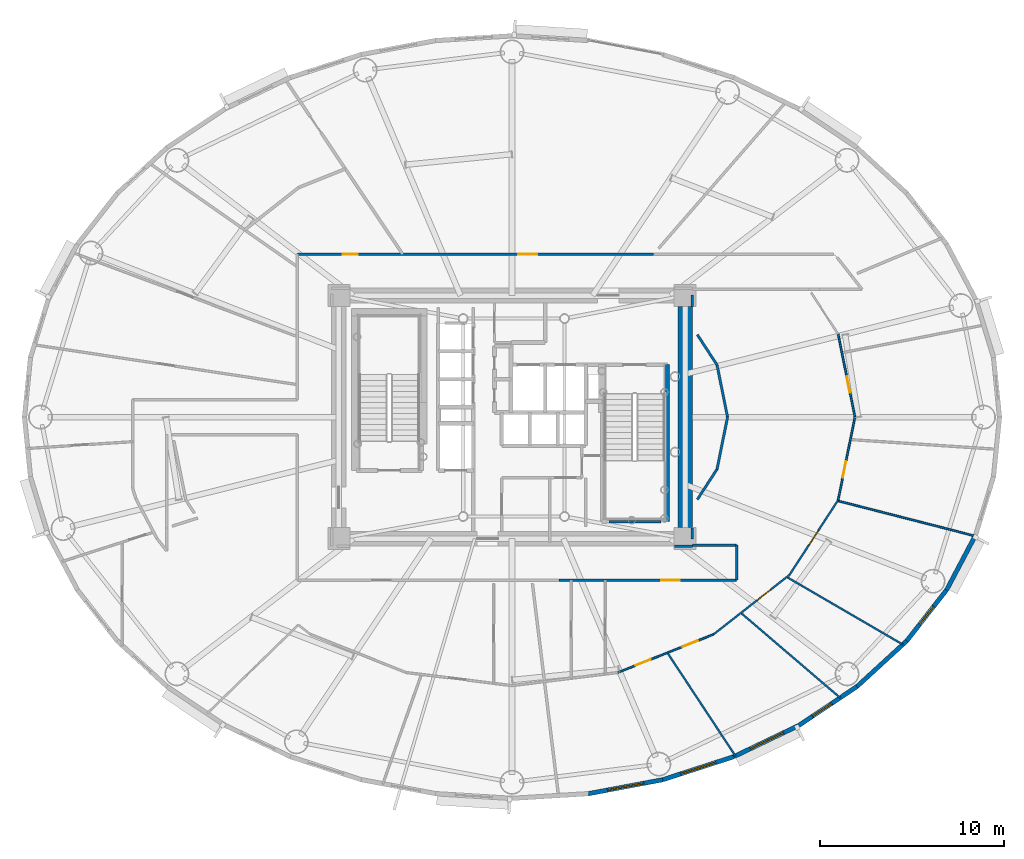
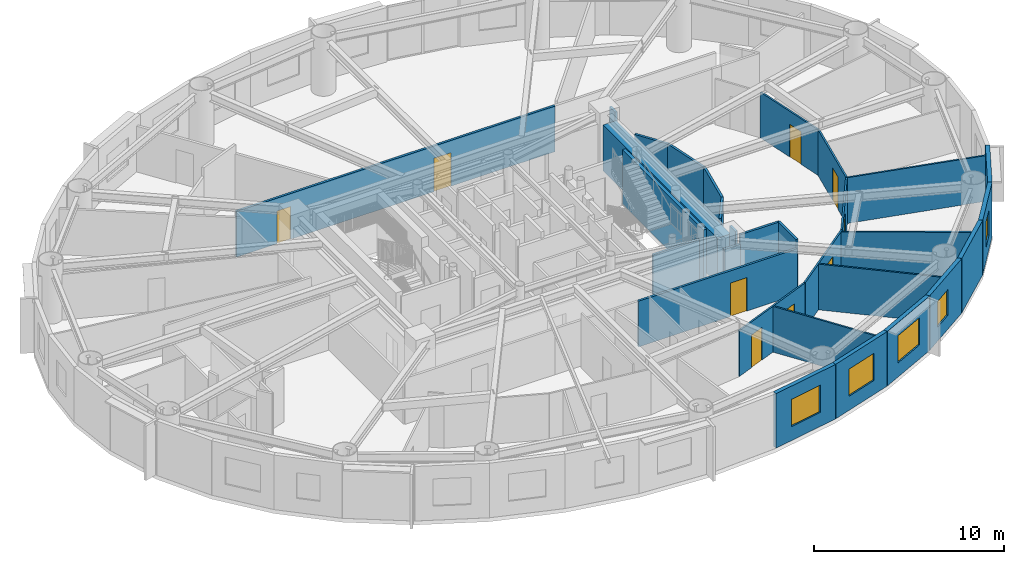
# One storey, part 13 of 21: 30 walls, 9 doors, 5 windows, 14 openings.
"""IFC4 building model written with IfcOpenShell, lengths in metres."""

from ifc_helpers import new_model, si_unit, direction, frame, frame_2d, origin, origin_2d, place, context, subcontext, project, spatial, rectangle, extrude, source, transform, mapped, material, layer, layer_set, type_object, element, fill, save


model = new_model("IFC4")

# Units and contexts
model_context = context("Model", 3, precision=1e-05, world=origin(), true_north=direction((0.0, 1.0)))
body_context = subcontext(model_context, "Body", "Model", "MODEL_VIEW")
ifc_project = project(units=[si_unit("LENGTHUNIT", "METRE"), si_unit("AREAUNIT", "SQUARE_METRE"), si_unit("VOLUMEUNIT", "CUBIC_METRE"), si_unit("PLANEANGLEUNIT", "RADIAN"), si_unit("MASSUNIT", "GRAM", prefix="KILO")], contexts=[model_context])

# Site, building, storey
site_placement = place(None, origin())
site = spatial("IfcSite", under=ifc_project, at=site_placement, CompositionType="ELEMENT")
building_placement = place(site_placement, origin())
building = spatial("IfcBuilding", under=site, at=building_placement, Name="Linh Dai School and Residence Tower", CompositionType="ELEMENT")
storey_placement = place(building_placement, frame((0.0, 0.0, 171.14990234375)))
storey = spatial("IfcBuildingStorey", under=building, at=storey_placement, Name="L41", CompositionType="ELEMENT", Elevation=171.14990234375)

# Wall, opening, window
ifc_material_1 = material(Name="Precast Concrete B45 (C35/45)", Category="concrete")
ifc_layer_1 = layer(ifc_material_1, 0.239990234375)
ifc_layer_set_1 = layer_set([ifc_layer_1], Name="Precast Concrete B45 (C35/45)")
wall_type_1 = type_object("IfcWallType", Name="EW-TC-240", PredefinedType="SOLIDWALL", material=ifc_layer_set_1)
wall_1_placement = place(storey_placement, frame((44.18896484375, 7.310546875, 0.0), z_axis=(0.0, 0.0, 1.0), x_axis=(-0.982788108205, -0.184736391573, 0.0)))
wall_1 = element("IfcWall", 1, at=wall_1_placement, inside=storey, type_object=wall_type_1, Name="L41 Terracotta Exterior Wall 32", PredefinedType="SOLIDWALL", context=body_context, shape_type="SweptSolid", body=[
    extrude(rectangle(XDim=4.114013671875, YDim=0.239990234375, at=frame_2d((2.05712890625, 0.0))), origin(), (0.0, 0.0, 1.0), 3.5),
])
opening_1_placement = place(wall_1_placement, frame((1.05712890625, 0.0, 0.89990234375)))
opening_1 = element("IfcOpeningElement", 2, at=opening_1_placement, cuts=wall_1, Name="Opening W1", PredefinedType="OPENING", context=body_context, shape_type="SweptSolid", body=[
    extrude(rectangle(XDim=2.0, YDim=1.75, at=origin_2d()), frame((1.0, 0.1298828125, 0.875), z_axis=(0.0, -1.0, 0.0), x_axis=(1.0, 0.0, 0.0)), (0.0, 0.0, 1.0), 0.260009765625),
])
ifc_material_2 = material(Name="Double Low-E Insulated Glazing", Category="glass")
window_type_1 = type_object("IfcWindowType", Name="WN-RES-2000x1750", PartitioningType="DOUBLE_PANEL_VERTICAL", PredefinedType="WINDOW", material=ifc_material_2)
shared_shape_1 = source(origin(), body_context, "Body", "SweptSolid", [
    extrude(rectangle(XDim=2.0, YDim=1.75, at=origin_2d()), frame((1.0, 0.030029296875, 0.875), z_axis=(0.0, -1.0, 0.0), x_axis=(1.0, 0.0, 0.0)), (0.0, 0.0, 1.0), 0.06005859375),
])
window_1_placement = place(opening_1_placement, origin())
window_1 = element("IfcWindow", 3, at=window_1_placement, inside=storey, type_object=window_type_1, Name="L41 Exterior Window 32.1", OverallHeight=1.75, OverallWidth=2.0, PartitioningType="DOUBLE_PANEL_VERTICAL", PredefinedType="WINDOW", context=body_context, shape_type="MappedRepresentation", body=[
    mapped(shared_shape_1, transform((0.0, 0.0, 0.0), x_axis=(1.0, 0.0, 0.0), y_axis=(0.0, 1.0, 0.0), z_axis=(0.0, 0.0, 1.0), scale=1.0)),
])
fill(opening_1, window_1)

wall_2_placement = place(storey_placement, frame((48.02978515625, 8.556396484375, 0.0), z_axis=(0.0, 0.0, 1.0), x_axis=(-0.951209870236, -0.30854462038, 0.0)))
wall_2 = element("IfcWall", 4, at=wall_2_placement, inside=storey, type_object=wall_type_1, Name="L41 Terracotta Exterior Wall 33", PredefinedType="SOLIDWALL", context=body_context, shape_type="SweptSolid", body=[
    extrude(rectangle(XDim=4.037841796875, YDim=0.239990234375, at=frame_2d((2.01904296875, 0.0))), origin(), (0.0, 0.0, 1.0), 3.5),
])
opening_2_placement = place(wall_2_placement, frame((1.01904296875, 0.0, 0.89990234375)))
opening_2 = element("IfcOpeningElement", 5, at=opening_2_placement, cuts=wall_2, Name="Opening W1", PredefinedType="OPENING", context=body_context, shape_type="SweptSolid", body=[
    extrude(rectangle(XDim=2.0, YDim=1.75, at=origin_2d()), frame((1.0, 0.1298828125, 0.875), z_axis=(0.0, -1.0, 0.0), x_axis=(1.0, 0.0, 0.0)), (0.0, 0.0, 1.0), 0.260009765625),
])
window_2_placement = place(opening_2_placement, origin())
window_2 = element("IfcWindow", 6, at=window_2_placement, inside=storey, type_object=window_type_1, Name="L41 Exterior Window 33.1", OverallHeight=1.75, OverallWidth=2.0, PartitioningType="DOUBLE_PANEL_VERTICAL", PredefinedType="WINDOW", context=body_context, shape_type="MappedRepresentation", body=[
    mapped(shared_shape_1, transform((0.0, 0.0, 0.0), x_axis=(1.0, 0.0, 0.0), y_axis=(0.0, 1.0, 0.0), z_axis=(0.0, 0.0, 1.0), scale=1.0)),
])
fill(opening_2, window_2)

wall_3_placement = place(storey_placement, frame((51.5732421875, 10.2568359375, 0.0), z_axis=(0.0, 0.0, 1.0), x_axis=(-0.901564733809, -0.432644231155, 0.0)))
wall_3 = element("IfcWall", 7, at=wall_3_placement, inside=storey, type_object=wall_type_1, Name="L41 Terracotta Exterior Wall 34", PredefinedType="SOLIDWALL", context=body_context, shape_type="SweptSolid", body=[
    extrude(rectangle(XDim=3.930419921875, YDim=0.239990234375, at=frame_2d((1.96533203125, 0.0))), origin(), (0.0, 0.0, 1.0), 3.5),
])
opening_3_placement = place(wall_3_placement, frame((0.922607421875, 0.0, 0.89990234375)))
opening_3 = element("IfcOpeningElement", 8, at=opening_3_placement, cuts=wall_3, Name="Opening W1", PredefinedType="OPENING", context=body_context, shape_type="SweptSolid", body=[
    extrude(rectangle(XDim=2.0, YDim=1.75, at=origin_2d()), frame((1.0, 0.1298828125, 0.875), z_axis=(0.0, -1.0, 0.0), x_axis=(1.0, 0.0, 0.0)), (0.0, 0.0, 1.0), 0.260009765625),
])
window_3_placement = place(opening_3_placement, origin())
window_3 = element("IfcWindow", 9, at=window_3_placement, inside=storey, type_object=window_type_1, Name="L41 Exterior Window 34.1", OverallHeight=1.75, OverallWidth=2.0, PartitioningType="DOUBLE_PANEL_VERTICAL", PredefinedType="WINDOW", context=body_context, shape_type="MappedRepresentation", body=[
    mapped(shared_shape_1, transform((0.0, 0.0, 0.0), x_axis=(1.0, 0.0, 0.0), y_axis=(0.0, 1.0, 0.0), z_axis=(0.0, 0.0, 1.0), scale=1.0)),
])
fill(opening_3, window_3)

wall_4_placement = place(storey_placement, frame((54.73193359375, 12.369384765625, 0.0), z_axis=(0.0, 0.0, 1.0), x_axis=(-0.831228998277, -0.555930168657, 0.0)))
wall_4 = element("IfcWall", 10, at=wall_4_placement, inside=storey, type_object=wall_type_1, Name="L41 Terracotta Exterior Wall 35", PredefinedType="SOLIDWALL", context=body_context, shape_type="SweptSolid", body=[
    extrude(rectangle(XDim=3.800048828125, YDim=0.239990234375, at=frame_2d((1.89990234375, 0.0))), origin(), (0.0, 0.0, 1.0), 3.5),
])
opening_4_placement = place(wall_4_placement, frame((1.647705078125, 0.0, 0.89990234375)))
opening_4 = element("IfcOpeningElement", 11, at=opening_4_placement, cuts=wall_4, Name="Opening W3", PredefinedType="OPENING", context=body_context, shape_type="SweptSolid", body=[
    extrude(rectangle(XDim=1.25, YDim=1.64990234375, at=origin_2d()), frame((0.625, 0.1298828125, 0.824951171875), z_axis=(0.0, -1.0, 0.0), x_axis=(1.0, 0.0, 0.0)), (0.0, 0.0, 1.0), 0.260009765625),
])
window_type_2 = type_object("IfcWindowType", Name="WN-RES-1250x1650", PartitioningType="SINGLE_PANEL", PredefinedType="WINDOW", material=ifc_material_2)
shared_shape_2 = source(origin(), body_context, "Body", "SweptSolid", [
    extrude(rectangle(XDim=1.25, YDim=1.64990234375, at=origin_2d()), frame((0.625, 0.030029296875, 0.824951171875), z_axis=(0.0, -1.0, 0.0), x_axis=(1.0, 0.0, 0.0)), (0.0, 0.0, 1.0), 0.06005859375),
])
window_4_placement = place(opening_4_placement, origin())
window_4 = element("IfcWindow", 12, at=window_4_placement, inside=storey, type_object=window_type_2, Name="L41 Exterior Window 35.1", OverallHeight=1.64990234375, OverallWidth=1.25, PartitioningType="SINGLE_PANEL", PredefinedType="WINDOW", context=body_context, shape_type="MappedRepresentation", body=[
    mapped(shared_shape_2, transform((0.0, 0.0, 0.0), x_axis=(1.0, 0.0, 0.0), y_axis=(0.0, 1.0, 0.0), z_axis=(0.0, 0.0, 1.0), scale=1.0)),
])
fill(opening_4, window_4)

# Wall
wall_5_placement = place(storey_placement, frame((57.42822265625, 14.841552734375, 0.0), z_axis=(0.0, 0.0, 1.0), x_axis=(-0.737076565834, -0.675809245349, 0.0)))
element("IfcWall", 13, at=wall_5_placement, inside=storey, type_object=wall_type_1, Name="L41 Terracotta Exterior Wall 36", PredefinedType="SOLIDWALL", context=body_context, shape_type="SweptSolid", body=[
    extrude(rectangle(XDim=3.658203125, YDim=0.239990234375, at=frame_2d((1.8291015625, 0.0))), origin(), (0.0, 0.0, 1.0), 3.5),
])

# Wall, opening, window
wall_6_placement = place(storey_placement, frame((59.595947265625, 17.611572265625, 0.0), z_axis=(0.0, 0.0, 1.0), x_axis=(-0.616287674549, -0.787521112224, 0.0)))
wall_6 = element("IfcWall", 14, at=wall_6_placement, inside=storey, type_object=wall_type_1, Name="L41 Terracotta Exterior Wall 37", PredefinedType="SOLIDWALL", context=body_context, shape_type="SweptSolid", body=[
    extrude(rectangle(XDim=3.517333984375, YDim=0.239990234375, at=frame_2d((1.7587890625, 0.0))), origin(), (0.0, 0.0, 1.0), 3.5),
])
opening_5_placement = place(wall_6_placement, frame((1.1337890625, 0.0, 0.89990234375)))
opening_5 = element("IfcOpeningElement", 15, at=opening_5_placement, cuts=wall_6, Name="Opening W3", PredefinedType="OPENING", context=body_context, shape_type="SweptSolid", body=[
    extrude(rectangle(XDim=1.25, YDim=1.64990234375, at=origin_2d()), frame((0.625, 0.1298828125, 0.824951171875), z_axis=(0.0, -1.0, 0.0), x_axis=(1.0, 0.0, 0.0)), (0.0, 0.0, 1.0), 0.260009765625),
])
window_5_placement = place(opening_5_placement, origin())
window_5 = element("IfcWindow", 16, at=window_5_placement, inside=storey, type_object=window_type_2, Name="L41 Dwelling Window U4102-BD3", OverallHeight=1.64990234375, OverallWidth=1.25, PartitioningType="SINGLE_PANEL", PredefinedType="WINDOW", context=body_context, shape_type="MappedRepresentation", body=[
    mapped(shared_shape_2, transform((0.0, 0.0, 0.0), x_axis=(1.0, 0.0, 0.0), y_axis=(0.0, 1.0, 0.0), z_axis=(0.0, 0.0, 1.0), scale=1.0)),
])
fill(opening_5, window_5)

# Wall
wall_7_placement = place(storey_placement, frame((61.1826171875, 20.611083984375, 0.0), z_axis=(0.0, 0.0, 1.0), x_axis=(-0.467586874938, -0.88394712194, 0.0)))
element("IfcWall", 17, at=wall_7_placement, inside=storey, type_object=wall_type_1, Name="L41 Terracotta Exterior Wall 38", PredefinedType="SOLIDWALL", context=body_context, shape_type="SweptSolid", body=[
    extrude(rectangle(XDim=3.393310546875, YDim=0.239990234375, at=frame_2d((1.69677734375, 0.0))), origin(), (0.0, 0.0, 1.0), 3.5),
])

# Wall, openings, doors
ifc_material_3 = material(Name="Autoclaved Aerated Concrete Blockwork", Category="masonry")
ifc_layer_2 = layer(ifc_material_3, 0.135009765625)
ifc_layer_set_2 = layer_set([ifc_layer_2], Name="Autoclaved Aerated Concrete Blockwork")
wall_type_2 = type_object("IfcWallType", Name="IW-CORR-135-EI90", PredefinedType="PARTITIONING", material=ifc_layer_set_2)
wall_8_placement = place(storey_placement, frame((24.35009765625, 35.85009765625, 0.0), z_axis=(0.0, 0.0, 1.0), x_axis=(1.0, 0.0, 0.0)))
wall_8 = element("IfcWall", 18, at=wall_8_placement, inside=storey, type_object=wall_type_2, Name="L41 Interior Partition Wall 020", PredefinedType="PARTITIONING", context=body_context, shape_type="SweptSolid", body=[
    extrude(rectangle(XDim=19.343017578125, YDim=0.135009765625, at=frame_2d((9.67138671875, 0.0))), origin(), (0.0, 0.0, 1.0), 2.93505859375),
])
opening_6_placement = place(wall_8_placement, frame((11.98046875, 0.0, 0.0)))
opening_6 = element("IfcOpeningElement", 19, at=opening_6_placement, cuts=wall_8, Name="Opening D04", PredefinedType="OPENING", context=body_context, shape_type="SweptSolid", body=[
    extrude(rectangle(XDim=1.050048828125, YDim=2.14990234375, at=origin_2d()), frame((0.52490234375, 0.07763671875, 1.074951171875), z_axis=(0.0, -1.0, 0.0), x_axis=(1.0, 0.0, 0.0)), (0.0, 0.0, 1.0), 0.155029296875),
])
opening_7_placement = place(wall_8_placement, frame((2.4638671875, 0.0, 0.0)))
opening_7 = element("IfcOpeningElement", 20, at=opening_7_placement, cuts=wall_8, Name="Opening D06", PredefinedType="OPENING", context=body_context, shape_type="SweptSolid", body=[
    extrude(rectangle(XDim=0.820068359375, YDim=2.10009765625, at=origin_2d()), frame((0.41015625, 0.07763671875, 1.050048828125), z_axis=(0.0, -1.0, 0.0), x_axis=(1.0, 0.0, 0.0)), (0.0, 0.0, 1.0), 0.155029296875),
])
ifc_material_4 = material(Name="Acoustic Vision-Panel Timber Classroom Door", Category="wood")
door_type_1 = type_object("IfcDoorType", Name="DR-SCH-1050x2150-FD60S", OperationType="NOTDEFINED", PredefinedType="DOOR", material=ifc_material_4)
shared_shape_3 = source(origin(), body_context, "Body", "SweptSolid", [
    extrude(rectangle(XDim=1.050048828125, YDim=2.14990234375, at=origin_2d()), frame((0.52490234375, 0.02490234375, 1.074951171875), z_axis=(0.0, -1.0, 0.0), x_axis=(1.0, 0.0, 0.0)), (0.0, 0.0, 1.0), 0.050048828125),
])
door_1_placement = place(opening_6_placement, origin())
door_1 = element("IfcDoor", 21, at=door_1_placement, inside=storey, type_object=door_type_1, Name="L41 Resident Music and Cinema Salon Door", OperationType="SINGLE_SWING_RIGHT", OverallHeight=2.14990234375, OverallWidth=1.050048828125, PredefinedType="DOOR", context=body_context, shape_type="MappedRepresentation", body=[
    mapped(shared_shape_3, transform((0.0, 0.0, 0.0), x_axis=(1.0, 0.0, 0.0), y_axis=(0.0, 1.0, 0.0), z_axis=(0.0, 0.0, 1.0), scale=1.0)),
])
fill(opening_6, door_1)
ifc_material_5 = material(Name="Moisture-Resistant Timber Bathroom Door", Category="wood")
door_type_2 = type_object("IfcDoorType", Name="DR-WET-820x2100", OperationType="NOTDEFINED", PredefinedType="DOOR", material=ifc_material_5)
shared_shape_4 = source(origin(), body_context, "Body", "SweptSolid", [
    extrude(rectangle(XDim=0.820068359375, YDim=2.10009765625, at=origin_2d()), frame((0.41015625, 0.02490234375, 1.050048828125), z_axis=(0.0, -1.0, 0.0), x_axis=(1.0, 0.0, 0.0)), (0.0, 0.0, 1.0), 0.050048828125),
])
door_2_placement = place(opening_7_placement, origin())
door_2 = element("IfcDoor", 22, at=door_2_placement, inside=storey, type_object=door_type_2, Name="L41 Amenity Accessible WC Door", OperationType="SINGLE_SWING_LEFT", OverallHeight=2.10009765625, OverallWidth=0.820068359375, PredefinedType="DOOR", context=body_context, shape_type="MappedRepresentation", body=[
    mapped(shared_shape_4, transform((0.0, 0.0, 0.0), x_axis=(1.0, 0.0, 0.0), y_axis=(0.0, 1.0, 0.0), z_axis=(0.0, 0.0, 1.0), scale=1.0)),
])
fill(opening_7, door_2)

# Wall, opening, door
wall_9_placement = place(storey_placement, frame((38.541259765625, 18.14990234375, 0.0), z_axis=(0.0, 0.0, 1.0), x_axis=(1.0, 0.0, 0.0)))
wall_9 = element("IfcWall", 23, at=wall_9_placement, inside=storey, type_object=wall_type_2, Name="L41 Interior Partition Wall 056", PredefinedType="PARTITIONING", context=body_context, shape_type="SweptSolid", body=[
    extrude(rectangle(XDim=9.65869140625, YDim=0.135009765625, at=frame_2d((4.829345703125, 0.0))), origin(), (0.0, 0.0, 1.0), 2.93505859375),
])
opening_8_placement = place(wall_9_placement, frame((5.568115234375, 0.0, 0.0)))
opening_8 = element("IfcOpeningElement", 24, at=opening_8_placement, cuts=wall_9, Name="Opening D03", PredefinedType="OPENING", context=body_context, shape_type="SweptSolid", body=[
    extrude(rectangle(XDim=1.0, YDim=2.14990234375, at=origin_2d()), frame((0.5, 0.07763671875, 1.074951171875), z_axis=(0.0, -1.0, 0.0), x_axis=(1.0, 0.0, 0.0)), (0.0, 0.0, 1.0), 0.155029296875),
])
ifc_material_6 = material(Name="Fire-Rated Solid Timber Entrance Door", Category="wood")
door_type_3 = type_object("IfcDoorType", Name="DR-FLAT-1000x2150-FD60S", OperationType="NOTDEFINED", PredefinedType="DOOR", material=ifc_material_6)
shared_shape_5 = source(origin(), body_context, "Body", "SweptSolid", [
    extrude(rectangle(XDim=1.0, YDim=2.14990234375, at=origin_2d()), frame((0.5, 0.02490234375, 1.074951171875), z_axis=(0.0, -1.0, 0.0), x_axis=(1.0, 0.0, 0.0)), (0.0, 0.0, 1.0), 0.050048828125),
])
door_3_placement = place(opening_8_placement, origin())
door_3 = element("IfcDoor", 25, at=door_3_placement, inside=storey, type_object=door_type_3, Name="L41 U4102 Apartment Entrance Door", OperationType="SINGLE_SWING_LEFT", OverallHeight=2.14990234375, OverallWidth=1.0, PredefinedType="DOOR", context=body_context, shape_type="MappedRepresentation", body=[
    mapped(shared_shape_5, transform((0.0, 0.0, 0.0), x_axis=(1.0, 0.0, 0.0), y_axis=(0.0, 1.0, 0.0), z_axis=(0.0, 0.0, 1.0), scale=1.0)),
])
fill(opening_8, door_3)

# Walls
wall_10_placement = place(storey_placement, frame((45.800048828125, 20.050048828125, 0.0), z_axis=(0.0, 0.0, 1.0), x_axis=(1.0, 0.0, 0.0)))
element("IfcWall", 26, at=wall_10_placement, inside=storey, type_object=wall_type_2, Name="L41 Interior Partition Wall 068", PredefinedType="PARTITIONING", context=body_context, shape_type="SweptSolid", body=[
    extrude(rectangle(XDim=2.39990234375, YDim=0.135009765625, at=frame_2d((1.199951171875, 0.0))), origin(), (0.0, 0.0, 1.0), 3.5),
])
wall_11_placement = place(storey_placement, frame((48.199951171875, 18.14990234375, 0.0), z_axis=(0.0, 0.0, 1.0), x_axis=(0.0, 1.0, 0.0)))
element("IfcWall", 27, at=wall_11_placement, inside=storey, type_object=wall_type_2, Name="L41 Interior Partition Wall 071", PredefinedType="PARTITIONING", context=body_context, shape_type="SweptSolid", body=[
    extrude(rectangle(XDim=1.900146484375, YDim=0.135009765625, at=frame_2d((0.9501953125, 0.0))), origin(), (0.0, 0.0, 1.0), 3.5),
])
wall_12_placement = place(storey_placement, frame((44.080078125, 21.330078125, 0.0), z_axis=(0.0, 0.0, 1.0), x_axis=(-1.0, 0.0, 0.0)))
element("IfcWall", 28, at=wall_12_placement, inside=storey, type_object=wall_type_2, Name="L41 Interior Partition Wall 083", PredefinedType="PARTITIONING", context=body_context, shape_type="SweptSolid", body=[
    extrude(rectangle(XDim=2.820068359375, YDim=0.135009765625, at=frame_2d((1.41015625, 0.0))), origin(), (0.0, 0.0, 1.0), 3.03515625),
])
wall_13_placement = place(storey_placement, frame((44.81005859375, 20.0, 0.0), z_axis=(0.0, 0.0, 1.0), x_axis=(1.0, 0.0, 0.0)))
element("IfcWall", 29, at=wall_13_placement, inside=storey, type_object=wall_type_2, Name="L41 Interior Partition Wall 097", PredefinedType="PARTITIONING", context=body_context, shape_type="SweptSolid", body=[
    extrude(rectangle(XDim=0.97998046875, YDim=0.135009765625, at=frame_2d((0.489990234375, 0.0))), origin(), (0.0, 0.0, 1.0), 2.93505859375),
])
wall_14_placement = place(storey_placement, frame((45.800048828125, 20.37744140625, 0.0), z_axis=(0.0, 0.0, 1.0), x_axis=(0.0, 1.0, 0.0)))
element("IfcWall", 30, at=wall_14_placement, inside=storey, type_object=wall_type_2, Name="L41 Interior Partition Wall 103", PredefinedType="PARTITIONING", context=body_context, shape_type="SweptSolid", body=[
    extrude(rectangle(XDim=0.612548828125, YDim=0.135009765625, at=frame_2d((0.30615234375, 0.0))), origin(), (0.0, 0.0, 1.0), 3.5),
])
wall_15_placement = place(storey_placement, frame((46.06005859375, 22.521484375, 0.0), z_axis=(0.0, 0.0, 1.0), x_axis=(0.545342221334, 0.838213494064, 0.0)))
element("IfcWall", 31, at=wall_15_placement, inside=storey, type_object=wall_type_2, Name="L41 Interior Partition Wall 104", PredefinedType="PARTITIONING", context=body_context, shape_type="SweptSolid", body=[
    extrude(rectangle(XDim=1.9638671875, YDim=0.135009765625, at=frame_2d((0.98193359375, 0.0))), origin(), (0.0, 0.0, 1.0), 2.93505859375),
])
for number, where, z_axis, x_axis, name in (
    (32, (47.131103515625, 24.167724609375, 0.0), (0.0, 0.0, 1.0), (0.198292837027, 0.980142821625, 0.0), "L41 Interior Partition Wall 105"),
    (33, (47.7041015625, 27.0, 0.0), (0.0, 0.0, 1.0), (-0.198292837027, 0.980142821625, 0.0), "L41 Interior Partition Wall 106"),
):
    element("IfcWall", number, at=place(storey_placement, frame(where, z_axis=z_axis, x_axis=x_axis)), inside=storey, type_object=wall_type_2, Name=name, PredefinedType="PARTITIONING", context=body_context, shape_type="SweptSolid", body=[
        extrude(rectangle(XDim=2.8896484375, YDim=0.135009765625, at=frame_2d((1.44482421875, 0.0))), origin(), (0.0, 0.0, 1.0), 2.93505859375),
    ])
wall_16_placement = place(storey_placement, frame((47.131103515625, 29.832275390625, 0.0), z_axis=(0.0, 0.0, 1.0), x_axis=(-0.545342221334, 0.838213494064, 0.0)))
element("IfcWall", 34, at=wall_16_placement, inside=storey, type_object=wall_type_2, Name="L41 Interior Partition Wall 107", PredefinedType="PARTITIONING", context=body_context, shape_type="SweptSolid", body=[
    extrude(rectangle(XDim=1.9638671875, YDim=0.135009765625, at=frame_2d((0.98193359375, 0.0))), origin(), (0.0, 0.0, 1.0), 2.93505859375),
])
wall_17_placement = place(storey_placement, frame((45.800048828125, 33.010009765625, 0.0), z_axis=(0.0, 0.0, 1.0), x_axis=(0.0, 1.0, 0.0)))
element("IfcWall", 35, at=wall_17_placement, inside=storey, type_object=wall_type_2, Name="L41 Interior Partition Wall 108", PredefinedType="PARTITIONING", context=body_context, shape_type="SweptSolid", body=[
    extrude(rectangle(XDim=0.612548828125, YDim=0.135009765625, at=frame_2d((0.30615234375, 0.0))), origin(), (0.0, 0.0, 1.0), 3.5),
])
ifc_material_7 = material(Name="Concrete B45 (C35/45)", Category="concrete")
ifc_layer_3 = layer(ifc_material_7, 0.199951171875)
ifc_layer_set_3 = layer_set([ifc_layer_3], Name="Concrete B45 (C35/45)")
wall_type_3 = type_object("IfcWallType", Name="IW-SHAFT-200-EI120", PredefinedType="PARTITIONING", material=ifc_layer_set_3)
wall_18_placement = place(storey_placement, frame((44.43994140625, 21.330078125, 0.0), z_axis=(0.0, 0.0, 1.0), x_axis=(0.0, 1.0, 0.0)))
element("IfcWall", 36, at=wall_18_placement, inside=storey, type_object=wall_type_3, Name="L41 Interior Partition Wall 067", PredefinedType="PARTITIONING", context=body_context, shape_type="SweptSolid", body=[
    extrude(rectangle(XDim=8.52001953125, YDim=0.199951171875, at=frame_2d((4.260009765625, 0.0))), origin(), (0.0, 0.0, 1.0), 3.5),
])

# Wall, openings, doors
ifc_material_8 = material(Name="Gypsum Plasterboard Acoustic Stud Partition", Category="masonry")
ifc_layer_4 = layer(ifc_material_8, 0.10009765625)
ifc_layer_set_4 = layer_set([ifc_layer_4], Name="Gypsum Plasterboard Acoustic Stud Partition")
wall_type_4 = type_object("IfcWallType", Name="IW-UNIT-100", PredefinedType="PARTITIONING", material=ifc_layer_set_4)
wall_19_placement = place(storey_placement, frame((41.75390625, 13.132568359375, 0.0), z_axis=(0.0, 0.0, 1.0), x_axis=(0.928798710424, 0.370584613166, 0.0)))
wall_19 = element("IfcWall", 37, at=wall_19_placement, inside=storey, type_object=wall_type_4, Name="L41 Interior Partition Wall 065", PredefinedType="PARTITIONING", context=body_context, shape_type="SweptSolid", body=[
    extrude(rectangle(XDim=5.588623046875, YDim=0.10009765625, at=frame_2d((2.79443359375, 0.0))), origin(), (0.0, 0.0, 1.0), 2.93505859375),
])
opening_9_placement = place(wall_19_placement, frame((1.014892578125, 0.0, 0.0)))
opening_9 = element("IfcOpeningElement", 38, at=opening_9_placement, cuts=wall_19, Name="Opening D05", PredefinedType="OPENING", context=body_context, shape_type="SweptSolid", body=[
    extrude(rectangle(XDim=0.89990234375, YDim=2.10009765625, at=origin_2d()), frame((0.449951171875, 0.06005859375, 1.050048828125), z_axis=(0.0, -1.0, 0.0), x_axis=(1.0, 0.0, 0.0)), (0.0, 0.0, 1.0), 0.1201171875),
])
opening_10_placement = place(wall_19_placement, frame((3.76904296875, 0.0, 0.0)))
opening_10 = element("IfcOpeningElement", 39, at=opening_10_placement, cuts=wall_19, Name="Opening D05", PredefinedType="OPENING", context=body_context, shape_type="SweptSolid", body=[
    extrude(rectangle(XDim=0.89990234375, YDim=2.10009765625, at=origin_2d()), frame((0.449951171875, 0.06005859375, 1.050048828125), z_axis=(0.0, -1.0, 0.0), x_axis=(1.0, 0.0, 0.0)), (0.0, 0.0, 1.0), 0.1201171875),
])
ifc_material_9 = material(Name="Engineered Timber Internal Door", Category="wood")
door_type_4 = type_object("IfcDoorType", Name="DR-INT-900x2100", OperationType="NOTDEFINED", PredefinedType="DOOR", material=ifc_material_9)
shared_shape_6 = source(origin(), body_context, "Body", "SweptSolid", [
    extrude(rectangle(XDim=0.89990234375, YDim=2.10009765625, at=origin_2d()), frame((0.449951171875, 0.02490234375, 1.050048828125), z_axis=(0.0, -1.0, 0.0), x_axis=(1.0, 0.0, 0.0)), (0.0, 0.0, 1.0), 0.050048828125),
])
door_4_placement = place(opening_9_placement, origin())
door_4 = element("IfcDoor", 40, at=door_4_placement, inside=storey, type_object=door_type_4, Name="L41 Apartment U4102 Principal Bedroom 1 Door", OperationType="SINGLE_SWING_RIGHT", OverallHeight=2.10009765625, OverallWidth=0.89990234375, PredefinedType="DOOR", context=body_context, shape_type="MappedRepresentation", body=[
    mapped(shared_shape_6, transform((0.0, 0.0, 0.0), x_axis=(1.0, 0.0, 0.0), y_axis=(0.0, 1.0, 0.0), z_axis=(0.0, 0.0, 1.0), scale=1.0)),
])
fill(opening_9, door_4)
door_5_placement = place(opening_10_placement, origin())
door_5 = element("IfcDoor", 41, at=door_5_placement, inside=storey, type_object=door_type_4, Name="L41 Apartment U4102 Principal Bedroom 2 Door", OperationType="SINGLE_SWING_LEFT", OverallHeight=2.10009765625, OverallWidth=0.89990234375, PredefinedType="DOOR", context=body_context, shape_type="MappedRepresentation", body=[
    mapped(shared_shape_6, transform((0.0, 0.0, 0.0), x_axis=(1.0, 0.0, 0.0), y_axis=(0.0, 1.0, 0.0), z_axis=(0.0, 0.0, 1.0), scale=1.0)),
])
fill(opening_10, door_5)

# Wall
wall_20_placement = place(storey_placement, frame((44.437744140625, 14.20361328125, 0.0), z_axis=(0.0, 0.0, 1.0), x_axis=(0.550479331571, -0.834848792006, 0.0)))
element("IfcWall", 42, at=wall_20_placement, inside=storey, type_object=wall_type_4, Name="L41 Interior Partition Wall 066", PredefinedType="PARTITIONING", context=body_context, shape_type="SweptSolid", body=[
    extrude(rectangle(XDim=6.7119140625, YDim=0.10009765625, at=frame_2d((3.35595703125, 0.0))), origin(), (0.0, 0.0, 1.0), 2.93505859375),
])

# Wall, opening, door
wall_21_placement = place(storey_placement, frame((46.944580078125, 15.20361328125, 0.0), z_axis=(0.0, 0.0, 1.0), x_axis=(0.787300155222, 0.616569919463, 0.0)))
wall_21 = element("IfcWall", 43, at=wall_21_placement, inside=storey, type_object=wall_type_4, Name="L41 Interior Partition Wall 070", PredefinedType="PARTITIONING", context=body_context, shape_type="SweptSolid", body=[
    extrude(rectangle(XDim=5.232177734375, YDim=0.10009765625, at=frame_2d((2.6162109375, 0.0))), origin(), (0.0, 0.0, 1.0), 2.93505859375),
])
opening_11_placement = place(wall_21_placement, frame((3.017822265625, 0.0, 0.0)))
opening_11 = element("IfcOpeningElement", 44, at=opening_11_placement, cuts=wall_21, Name="Opening D05", PredefinedType="OPENING", context=body_context, shape_type="SweptSolid", body=[
    extrude(rectangle(XDim=0.89990234375, YDim=2.10009765625, at=origin_2d()), frame((0.449951171875, 0.06005859375, 1.050048828125), z_axis=(0.0, -1.0, 0.0), x_axis=(1.0, 0.0, 0.0)), (0.0, 0.0, 1.0), 0.1201171875),
])
door_6_placement = place(opening_11_placement, origin())
door_6 = element("IfcDoor", 45, at=door_6_placement, inside=storey, type_object=door_type_4, Name="L41 Apartment U4102 Study Door", OperationType="SINGLE_SWING_RIGHT", OverallHeight=2.10009765625, OverallWidth=0.89990234375, PredefinedType="DOOR", context=body_context, shape_type="MappedRepresentation", body=[
    mapped(shared_shape_6, transform((0.0, 0.0, 0.0), x_axis=(1.0, 0.0, 0.0), y_axis=(0.0, 1.0, 0.0), z_axis=(0.0, 0.0, 1.0), scale=1.0)),
])
fill(opening_11, door_6)

# Walls
wall_22_placement = place(storey_placement, frame((48.43017578125, 16.3671875, 0.0), z_axis=(0.0, 0.0, 1.0), x_axis=(0.759902290403, -0.650037313575, 0.0)))
element("IfcWall", 46, at=wall_22_placement, inside=storey, type_object=wall_type_4, Name="L41 Interior Partition Wall 072", PredefinedType="PARTITIONING", context=body_context, shape_type="SweptSolid", body=[
    extrude(rectangle(XDim=7.095458984375, YDim=0.10009765625, at=frame_2d((3.5478515625, 0.0))), origin(), (0.0, 0.0, 1.0), 2.93505859375),
])
wall_23_placement = place(storey_placement, frame((50.919677734375, 18.316650390625, 0.0), z_axis=(0.0, 0.0, 1.0), x_axis=(0.864271351568, -0.50302587494, 0.0)))
element("IfcWall", 47, at=wall_23_placement, inside=storey, type_object=wall_type_4, Name="L41 Interior Partition Wall 073", PredefinedType="PARTITIONING", context=body_context, shape_type="SweptSolid", body=[
    extrude(rectangle(XDim=7.294189453125, YDim=0.10009765625, at=frame_2d((3.64697265625, 0.0))), origin(), (0.0, 0.0, 1.0), 2.93505859375),
])

# Wall, opening, door
wall_24_placement = place(storey_placement, frame((51.06396484375, 18.429443359375, 0.0), z_axis=(0.0, 0.0, 1.0), x_axis=(0.545379401359, 0.838189303542, 0.0)))
wall_24 = element("IfcWall", 48, at=wall_24_placement, inside=storey, type_object=wall_type_4, Name="L41 Interior Partition Wall 074", PredefinedType="PARTITIONING", context=body_context, shape_type="SweptSolid", body=[
    extrude(rectangle(XDim=4.80517578125, YDim=0.10009765625, at=frame_2d((2.402587890625, 0.0))), origin(), (0.0, 0.0, 1.0), 2.93505859375),
])
opening_12_placement = place(wall_24_placement, frame((1.95263671875, 0.0, 0.0)))
opening_12 = element("IfcOpeningElement", 49, at=opening_12_placement, cuts=wall_24, Name="Opening D05", PredefinedType="OPENING", context=body_context, shape_type="SweptSolid", body=[
    extrude(rectangle(XDim=0.89990234375, YDim=2.10009765625, at=origin_2d()), frame((0.449951171875, 0.06005859375, 1.050048828125), z_axis=(0.0, -1.0, 0.0), x_axis=(1.0, 0.0, 0.0)), (0.0, 0.0, 1.0), 0.1201171875),
])
door_7_placement = place(opening_12_placement, origin())
door_7 = element("IfcDoor", 50, at=door_7_placement, inside=storey, type_object=door_type_4, Name="L41 Apartment U4102 Principal Bedroom 3 Door", OperationType="SINGLE_SWING_LEFT", OverallHeight=2.10009765625, OverallWidth=0.89990234375, PredefinedType="DOOR", context=body_context, shape_type="MappedRepresentation", body=[
    mapped(shared_shape_6, transform((0.0, 0.0, 0.0), x_axis=(1.0, 0.0, 0.0), y_axis=(0.0, 1.0, 0.0), z_axis=(0.0, 0.0, 1.0), scale=1.0)),
])
fill(opening_12, door_7)

# Wall
wall_25_placement = place(storey_placement, frame((53.6845703125, 22.45703125, 0.0), z_axis=(0.0, 0.0, 1.0), x_axis=(0.968557288856, -0.248790631261, 0.0)))
element("IfcWall", 51, at=wall_25_placement, inside=storey, type_object=wall_type_4, Name="L41 Interior Partition Wall 077", PredefinedType="PARTITIONING", context=body_context, shape_type="SweptSolid", body=[
    extrude(rectangle(XDim=7.708251953125, YDim=0.10009765625, at=frame_2d((3.85400390625, 0.0))), origin(), (0.0, 0.0, 1.0), 2.93505859375),
])

# Wall, opening, door
wall_26_placement = place(storey_placement, frame((53.708740234375, 22.494140625, 0.0), z_axis=(0.0, 0.0, 1.0), x_axis=(0.198209478932, 0.980159682124, 0.0)))
wall_26 = element("IfcWall", 52, at=wall_26_placement, inside=storey, type_object=wall_type_4, Name="L41 Interior Partition Wall 078", PredefinedType="PARTITIONING", context=body_context, shape_type="SweptSolid", body=[
    extrude(rectangle(XDim=4.596923828125, YDim=0.10009765625, at=frame_2d((2.29833984375, 0.0))), origin(), (0.0, 0.0, 1.0), 2.93505859375),
])
opening_13_placement = place(wall_26_placement, frame((1.24609375, 0.0, 0.0)))
opening_13 = element("IfcOpeningElement", 53, at=opening_13_placement, cuts=wall_26, Name="Opening D05", PredefinedType="OPENING", context=body_context, shape_type="SweptSolid", body=[
    extrude(rectangle(XDim=0.89990234375, YDim=2.10009765625, at=origin_2d()), frame((0.449951171875, 0.06005859375, 1.050048828125), z_axis=(0.0, -1.0, 0.0), x_axis=(1.0, 0.0, 0.0)), (0.0, 0.0, 1.0), 0.1201171875),
])
door_8_placement = place(opening_13_placement, origin())
door_8 = element("IfcDoor", 54, at=door_8_placement, inside=storey, type_object=door_type_4, Name="L41 Apartment U4102 Study Door", OperationType="SINGLE_SWING_RIGHT", OverallHeight=2.10009765625, OverallWidth=0.89990234375, PredefinedType="DOOR", context=body_context, shape_type="MappedRepresentation", body=[
    mapped(shared_shape_6, transform((0.0, 0.0, 0.0), x_axis=(1.0, 0.0, 0.0), y_axis=(0.0, 1.0, 0.0), z_axis=(0.0, 0.0, 1.0), scale=1.0)),
])
fill(opening_13, door_8)

wall_27_placement = place(storey_placement, frame((53.708740234375, 31.505859375, 0.0), z_axis=(0.0, 0.0, 1.0), x_axis=(0.19825018224, -0.980151450155, 0.0)))
wall_27 = element("IfcWall", 55, at=wall_27_placement, inside=storey, type_object=wall_type_4, Name="L41 Interior Partition Wall 079", PredefinedType="PARTITIONING", context=body_context, shape_type="SweptSolid", body=[
    extrude(rectangle(XDim=4.59716796875, YDim=0.10009765625, at=frame_2d((2.298583984375, 0.0))), origin(), (0.0, 0.0, 1.0), 2.93505859375),
])
opening_14_placement = place(wall_27_placement, frame((2.34521484375, 0.0, 0.0)))
opening_14 = element("IfcOpeningElement", 56, at=opening_14_placement, cuts=wall_27, Name="Opening D05", PredefinedType="OPENING", context=body_context, shape_type="SweptSolid", body=[
    extrude(rectangle(XDim=0.89990234375, YDim=2.10009765625, at=origin_2d()), frame((0.449951171875, 0.06005859375, 1.050048828125), z_axis=(0.0, -1.0, 0.0), x_axis=(1.0, 0.0, 0.0)), (0.0, 0.0, 1.0), 0.1201171875),
])
door_9_placement = place(opening_14_placement, origin())
door_9 = element("IfcDoor", 57, at=door_9_placement, inside=storey, type_object=door_type_4, Name="L41 Apartment U4102 Principal Bedroom 4 Door", OperationType="SINGLE_SWING_LEFT", OverallHeight=2.10009765625, OverallWidth=0.89990234375, PredefinedType="DOOR", context=body_context, shape_type="MappedRepresentation", body=[
    mapped(shared_shape_6, transform((0.0, 0.0, 0.0), x_axis=(1.0, 0.0, 0.0), y_axis=(0.0, 1.0, 0.0), z_axis=(0.0, 0.0, 1.0), scale=1.0)),
])
fill(opening_14, door_9)

# Wall
ifc_material_10 = material(Name="Concrete B60 (C50/60)", Category="concrete")
ifc_layer_5 = layer(ifc_material_10, 0.800048828125)
ifc_layer_set_5 = layer_set([ifc_layer_5], Name="Concrete B60 (C50/60)")
wall_type_5 = type_object("IfcWallType", Name="WL-CORE800", PredefinedType="SHEAR", material=ifc_layer_set_5)
wall_28_placement = place(storey_placement, frame((45.39990234375, 33.0, 0.0), z_axis=(0.0, 0.0, 1.0), x_axis=(0.0, -1.0, 0.0)))
element("IfcWall", 58, at=wall_28_placement, inside=storey, type_object=wall_type_5, Name="L41 Central Core Shear Wall E", PredefinedType="SHEAR", context=body_context, shape_type="SweptSolid", body=[
    extrude(rectangle(XDim=12.0, YDim=0.800048828125, at=frame_2d((6.0, 0.0))), origin(), (0.0, 0.0, 1.0), 2.9501953125),
])

save(model, "model.ifc")
